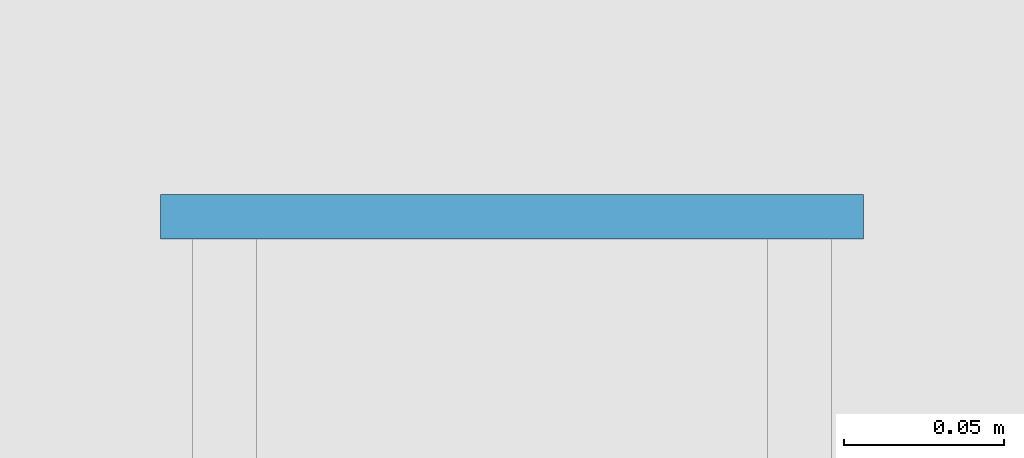
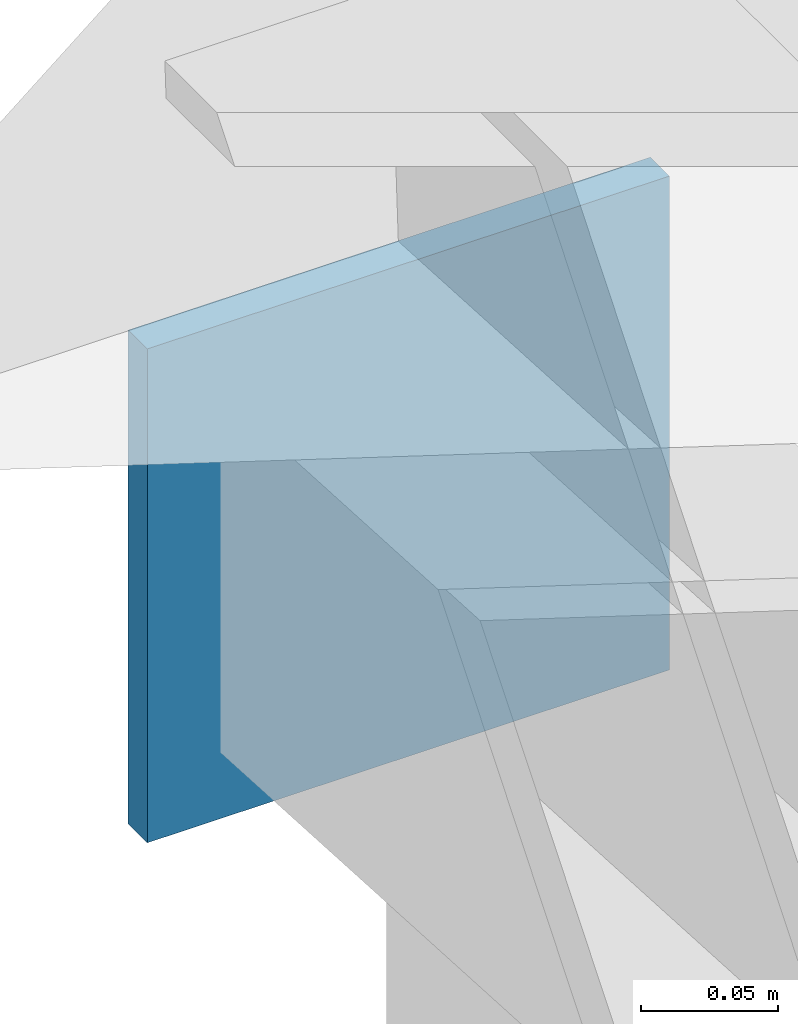
# One storey, part 9 of 13: 1 plate.
"""IFC4 building model written with IfcOpenShell, lengths in metres."""

import ifcopenshell
import ifcopenshell.guid

model = None  # the IFC model being written
_history = None  # IfcOwnerHistory: only IFC2X3 demands one
_inside = {}  # id of a spatial element -> (the spatial element, [elements in it])
_under = {}  # id of a project, library or spatial element -> (it, [spatial elements below it])
_declared = {}  # id of a project -> (the project, [libraries it declares])
_typed = {}  # id of a type object -> (the type object, [elements of that type])
_made_of = {}  # id of a material, layer set ... -> (it, [elements and type objects made of it])


def new_model(schema):
    """Start an empty IFC model of exactly this schema.

    Asked for "IFC4X3", IfcOpenShell would pick the latest addendum, in which some entities
    have other attributes; the version numbers below select the first issue.
    IFC2X3 requires an IfcOwnerHistory on every rooted entity: one is made here for all.
    """
    global model, _history
    if schema == "IFC4X3":
        model = ifcopenshell.file(schema_version=(4, 3, 0, 0))
    else:
        model = ifcopenshell.file(schema=schema)
    _inside.clear()
    _under.clear()
    _declared.clear()
    _typed.clear()
    _made_of.clear()
    _history = None
    if model.schema == "IFC2X3":
        org = make("IfcOrganization", Name="unknown")
        user = make(
            "IfcPersonAndOrganization",
            ThePerson=make("IfcPerson", FamilyName="unknown"),
            TheOrganization=org,
        )
        app = make(
            "IfcApplication",
            ApplicationDeveloper=org,
            Version="unknown",
            ApplicationFullName="unknown",
            ApplicationIdentifier="unknown",
        )
        _history = make(
            "IfcOwnerHistory",
            OwningUser=user,
            OwningApplication=app,
            ChangeAction="ADDED",
            CreationDate=0,
        )
    return model


def make(cls, **values):
    """One entity of the class cls with the attributes given. An attribute that is None is left unset."""
    return model.create_entity(
        cls, **{name: value for name, value in values.items() if value is not None}
    )


def rooted(cls, **values):
    """An entity with a GlobalId (a new one), such as an element, a storey or a relation."""
    return make(cls, GlobalId=ifcopenshell.guid.new(), OwnerHistory=_history, **values)


def si_unit(unit_type, name, prefix=None):
    """IfcSIUnit, for example si_unit("LENGTHUNIT", "METRE", prefix="MILLI")."""
    return make("IfcSIUnit", UnitType=unit_type, Prefix=prefix, Name=name)


def assignment(units):
    """IfcUnitAssignment: the units of a project."""
    return None if units is None else make("IfcUnitAssignment", Units=units)


def point(xyz):
    """IfcCartesianPoint."""
    return None if xyz is None else make("IfcCartesianPoint", Coordinates=xyz)


def direction(xyz):
    """IfcDirection."""
    return None if xyz is None else make("IfcDirection", DirectionRatios=xyz)


def frame(location, z_axis=None, x_axis=None):
    """IfcAxis2Placement3D, a coordinate frame: its origin and axes. An axis left out is left unset."""
    return make(
        "IfcAxis2Placement3D",
        Location=point(location),
        Axis=direction(z_axis),
        RefDirection=direction(x_axis),
    )


def frame_2d(location, x_axis=None):
    """IfcAxis2Placement2D, a coordinate frame in the plane: its origin and x axis."""
    return make(
        "IfcAxis2Placement2D", Location=point(location), RefDirection=direction(x_axis)
    )


def origin():
    """The frame at (0, 0, 0) with its axes left unset."""
    return frame((0.0, 0.0, 0.0))


def origin_2d():
    """The frame at (0, 0) in the plane with its x axis left unset."""
    return frame_2d((0.0, 0.0))


def place(relative_to, where):
    """IfcLocalPlacement: puts the frame where relative to a parent placement (None: the world)."""
    return make(
        "IfcLocalPlacement", PlacementRelTo=relative_to, RelativePlacement=where
    )


def context(
    kind, dimensions, precision=None, world=None, true_north=None, identifier=None
):
    """IfcGeometricRepresentationContext, for example the 3D "Model" context."""
    return make(
        "IfcGeometricRepresentationContext",
        ContextIdentifier=identifier,
        ContextType=kind,
        CoordinateSpaceDimension=dimensions,
        Precision=precision,
        WorldCoordinateSystem=world,
        TrueNorth=true_north,
    )


def subcontext(parent, identifier, kind, view, scale=None):
    """IfcGeometricRepresentationSubContext, for example "Body" below "Model"."""
    return make(
        "IfcGeometricRepresentationSubContext",
        ContextIdentifier=identifier,
        ContextType=kind,
        ParentContext=parent,
        TargetScale=scale,
        TargetView=view,
    )


def project(units=None, contexts=None):
    """IfcProject with its units and contexts."""
    return rooted(
        "IfcProject",
        Name="project",
        RepresentationContexts=contexts,
        UnitsInContext=assignment(units),
    )


def spatial(cls, under=None, at=None, **own):
    """A site, building, storey or space (cls), placed at a placement, below another one or the project."""
    s = rooted(cls, ObjectPlacement=at, **own)
    if under is not None:
        _under.setdefault(under.id(), (under, []))[1].append(s)
    return s


def profile(cls, at=None, kind="AREA", **sizes):
    """A parametric profile (cls). Its sizes go by their IFC names, for example OverallWidth=200.0."""
    return make(cls, ProfileType=kind, Position=at, **sizes)


def rectangle(**sizes):
    """IfcRectangleProfileDef."""
    return profile("IfcRectangleProfileDef", **sizes)


def extrude(swept, where, along, depth):
    """IfcExtrudedAreaSolid: the profile swept, set in the frame where, extruded along a direction by depth."""
    return make(
        "IfcExtrudedAreaSolid",
        SweptArea=swept,
        Position=where,
        ExtrudedDirection=direction(along),
        Depth=depth,
    )


def shape(context_of_items, identifier, shape_type, items):
    """IfcShapeRepresentation: the items that make up one representation, for example the "Body"."""
    return make(
        "IfcShapeRepresentation",
        ContextOfItems=context_of_items,
        RepresentationIdentifier=identifier,
        RepresentationType=shape_type,
        Items=items,
    )


def material(Name=None, Category=None):
    """IfcMaterial."""
    return make("IfcMaterial", Name=Name, Category=Category)


def layer(
    of_material, thickness, ventilated=None, Name=None, Category=None, Priority=None
):
    """IfcMaterialLayer: one layer of a wall or slab, of a material (None: an air gap)."""
    return make(
        "IfcMaterialLayer",
        Material=of_material,
        LayerThickness=thickness,
        IsVentilated=ventilated,
        Name=Name,
        Category=Category,
        Priority=Priority,
    )


def layer_set(layers, Name=None):
    """IfcMaterialLayerSet."""
    return make("IfcMaterialLayerSet", MaterialLayers=layers, LayerSetName=Name)


def made_of(thing, what):
    """Note that an element or type object is made of a material, layer set ...; save() writes the relation."""
    if what is not None:
        _made_of.setdefault(what.id(), (what, []))[1].append(thing)
    return thing


def type_object(cls, material=None, **own):
    """A type object (cls), such as IfcWallType, which elements share."""
    return made_of(rooted(cls, **own), material)


def element(
    cls,
    number,
    at=None,
    inside=None,
    cuts=None,
    type_object=None,
    material=None,
    context=None,
    identifier="Body",
    shape_type=None,
    held_by="IfcProductDefinitionShape",
    body=None,
    shapes=None,
    **own,
):
    """One element of the class cls, such as IfcWall. Its Tag is "e" and its number.

    at: its placement. inside: the storey or other place that contains it. cuts: it is an
    opening in that element (IfcRelVoidsElement). A single representation is given by context,
    identifier, shape_type and body (its items); several are given by shapes. held_by: the class
    of the entity that holds the representations. save() writes the other relations.
    """
    e = rooted(cls, Tag="e%d" % number, ObjectPlacement=at, **own)
    if body is not None:
        shapes = [shape(context, identifier, shape_type, body)]
    if shapes is not None:
        e.Representation = make(held_by, Representations=shapes)
    if inside is not None:
        _inside.setdefault(inside.id(), (inside, []))[1].append(e)
    if cuts is not None:
        rooted(
            "IfcRelVoidsElement", RelatingBuildingElement=cuts, RelatedOpeningElement=e
        )
    if type_object is not None:
        _typed.setdefault(type_object.id(), (type_object, []))[1].append(e)
    return made_of(e, material)


def aggregate(whole, parts):
    """IfcRelAggregates: a whole, such as a stair, and the parts it consists of."""
    return rooted("IfcRelAggregates", RelatingObject=whole, RelatedObjects=parts)


def save(model, path):
    """Write the relations noted so far, then the file.

    IfcRelAggregates (storeys below a building ...), IfcRelContainedInSpatialStructure (elements
    in a storey), IfcRelDefinesByType, IfcRelAssociatesMaterial and IfcRelDeclares: one each for
    every whole, place, type object, material and project.
    """
    for whole, parts in _under.values():
        aggregate(whole, parts)
    for where, things in _inside.values():
        rooted(
            "IfcRelContainedInSpatialStructure",
            RelatedElements=things,
            RelatingStructure=where,
        )
    for kind, things in _typed.values():
        rooted("IfcRelDefinesByType", RelatedObjects=things, RelatingType=kind)
    for what, things in _made_of.values():
        rooted("IfcRelAssociatesMaterial", RelatedObjects=things, RelatingMaterial=what)
    for by, libraries in _declared.values():
        rooted("IfcRelDeclares", RelatingContext=by, RelatedDefinitions=libraries)
    model.write(path)


model = new_model("IFC4")

# Units and contexts
model_context = context("Model", 3, precision=1e-05, world=origin(), true_north=direction((0.0, 1.0)))
body_context = subcontext(model_context, "Body", "Model", "MODEL_VIEW")
ifc_project = project(units=[si_unit("LENGTHUNIT", "METRE"), si_unit("AREAUNIT", "SQUARE_METRE"), si_unit("VOLUMEUNIT", "CUBIC_METRE"), si_unit("PLANEANGLEUNIT", "RADIAN"), si_unit("MASSUNIT", "GRAM", prefix="KILO")], contexts=[model_context])

# Site, building, storey
site_placement = place(None, origin())
site = spatial("IfcSite", under=ifc_project, at=site_placement, CompositionType="ELEMENT")
building_placement = place(site_placement, origin())
building = spatial("IfcBuilding", under=site, at=building_placement, Name="Celorna Specialist Clinic", CompositionType="ELEMENT")
storey_placement = place(building_placement, frame((0.0, 0.0, 27.300048828125)))
storey = spatial("IfcBuildingStorey", under=building, at=storey_placement, Name="RF", CompositionType="ELEMENT", Elevation=27.300048828125)

# Plate
ifc_material = material(Name="Steel S355", Category="steel")
ifc_layer = layer(ifc_material, 0.01611328125, Name="Steel S355")
ifc_layer_set = layer_set([ifc_layer], Name="Steel S355")
plate_type = type_object("IfcPlateType", Name="EP-04", PredefinedType="SHEET", material=ifc_layer_set)
plate_placement = place(storey_placement, frame((70.199951171875, 116.0, -0.39208984375), z_axis=(0.0, 0.0, 1.0), x_axis=(1.0, 0.0, 0.0)))
element("IfcPlate", 1, at=plate_placement, inside=storey, type_object=plate_type, Name="Rafter chord cap plate ROOF-V4-NORTH", PredefinedType="SHEET", context=body_context, shape_type="SweptSolid", body=[
    extrude(rectangle(XDim=0.219970703125, YDim=0.013916015625, at=origin_2d()), origin(), (0.0, 0.0, 1.0), 0.219970703125),
])

save(model, "model.ifc")
